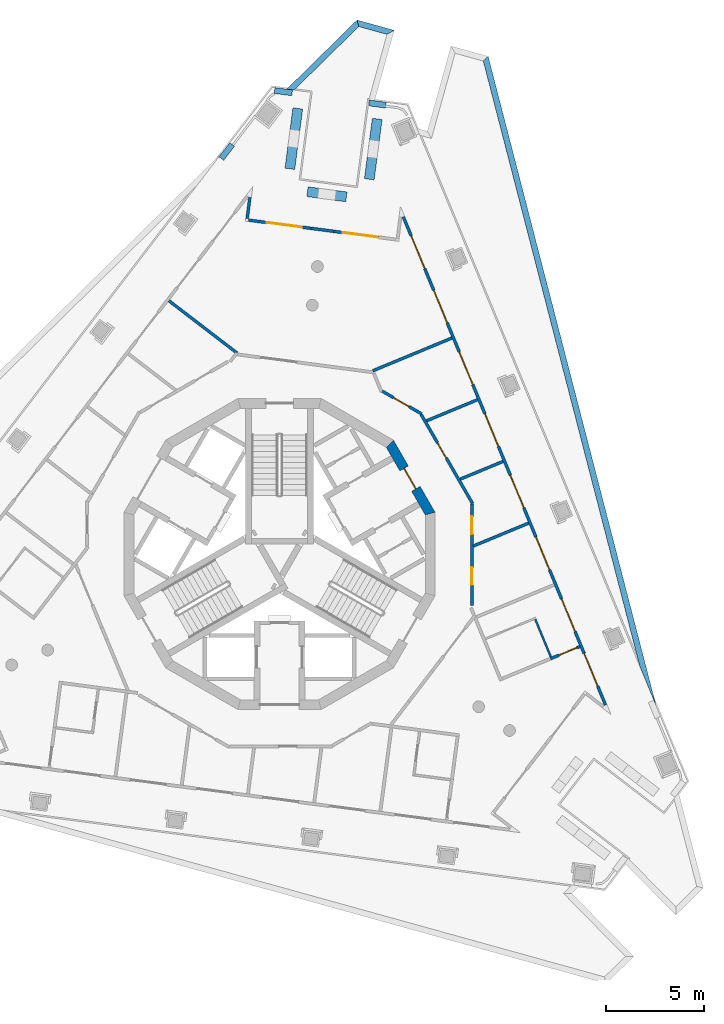
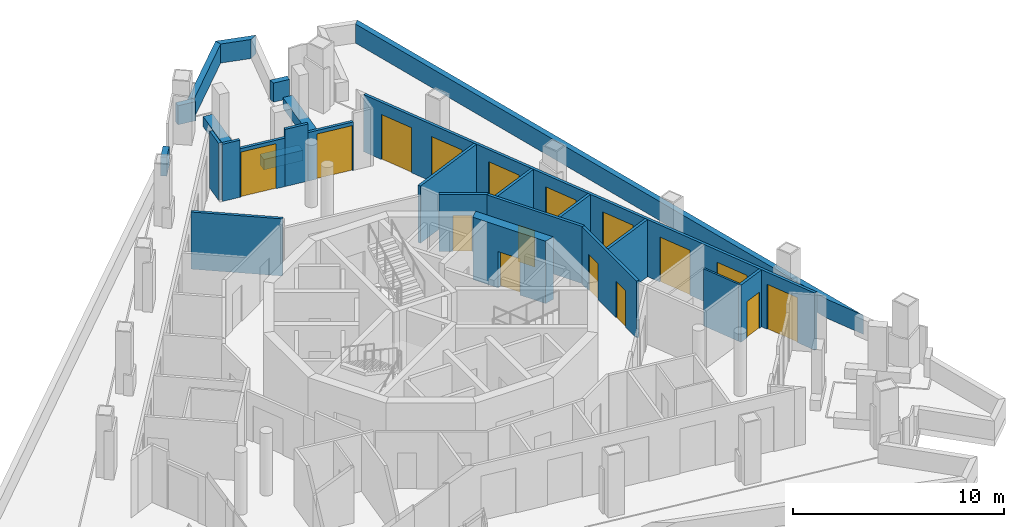
# One storey, part 6 of 12: 26 walls, 16 doors, 16 openings.
"""IFC4 building model written with IfcOpenShell, lengths in metres."""

from ifc_helpers import new_model, si_unit, direction, frame, frame_2d, origin, place, context, subcontext, project, spatial, polyline, rectangle, outline, extrude, material, layer, layer_set, type_object, element, fill, save


model = new_model("IFC4")

# Units and contexts
model_context = context("Model", 3, precision=1e-05, world=origin(), true_north=direction((0.0, 1.0)))
body_context = subcontext(model_context, "Body", "Model", "MODEL_VIEW")
ifc_project = project(units=[si_unit("LENGTHUNIT", "METRE"), si_unit("AREAUNIT", "SQUARE_METRE"), si_unit("VOLUMEUNIT", "CUBIC_METRE"), si_unit("PLANEANGLEUNIT", "RADIAN"), si_unit("MASSUNIT", "GRAM", prefix="KILO")], contexts=[model_context])

# Site, building, storey
site_placement = place(None, origin())
site = spatial("IfcSite", under=ifc_project, at=site_placement, CompositionType="ELEMENT")
building_placement = place(site_placement, origin())
building = spatial("IfcBuilding", under=site, at=building_placement, Name="Trine Commons Tower", CompositionType="ELEMENT")
storey_placement = place(building_placement, frame((0.0, 0.0, 271.800048828125)))
storey = spatial("IfcBuildingStorey", under=building, at=storey_placement, Name="L71", CompositionType="ELEMENT", Elevation=271.800048828125)

# Walls
ifc_material_1 = material(Name="Aluminium-framed insulated wall panel", Category="aluminium")
ifc_layer_1 = layer(ifc_material_1, 0.14990234375)
ifc_layer_set_1 = layer_set([ifc_layer_1], Name="Aluminium-framed insulated wall panel")
wall_type_1 = type_object("IfcWallType", Name="Glazed frame wall 150, EI 60", PredefinedType="SOLIDWALL", material=ifc_layer_set_1)
wall_1_placement = place(storey_placement, frame((78.51220703125, 80.81005859375, 0.0), z_axis=(0.0, 0.0, 1.0), x_axis=(-0.130510858064, -0.991446880033, 0.0)))
element("IfcWall", 1, at=wall_1_placement, inside=storey, type_object=wall_type_1, Name="Glazed frame wall R2", PredefinedType="SOLIDWALL", context=body_context, shape_type="SweptSolid", body=[
    extrude(outline(polyline([(0.1494140625, 0.074951171875), (0.1494140625, -0.074951171875), (1.235107421875, -0.074951171875), (1.235107421875, 0.074951171875), (0.1494140625, 0.074951171875)])), origin(), (0.0, 0.0, 1.0), 3.300048828125),
])
wall_2_placement = place(storey_placement, frame((78.306396484375, 79.515869140625, 0.0), z_axis=(0.0, 0.0, 1.0), x_axis=(0.991437672373, -0.130580786489, 0.0)))
element("IfcWall", 2, at=wall_2_placement, inside=storey, type_object=wall_type_1, Name="Glazed frame wall P1.1", PredefinedType="SOLIDWALL", context=body_context, shape_type="SweptSolid", body=[
    extrude(outline(polyline([(0.110107421875, -0.074951171875), (1.0, -0.074951171875), (1.0, 0.074951171875), (0.110107421875, 0.074951171875), (0.110107421875, -0.074951171875)])), origin(), (0.0, 0.0, 1.0), 3.300048828125),
])

# Wall, opening, door
wall_3_placement = place(storey_placement, frame((79.298095703125, 79.38525390625, 0.0), z_axis=(0.0, 0.0, 1.0), x_axis=(0.991435223914, -0.130599375121, 0.0)))
wall_3 = element("IfcWall", 3, at=wall_3_placement, inside=storey, type_object=wall_type_1, Name="Glazed frame wall P1.2", PredefinedType="SOLIDWALL", context=body_context, shape_type="SweptSolid", body=[
    extrude(outline(polyline([(0.0, -0.074951171875), (2.310791015625, -0.074951171875), (2.310791015625, 0.074951171875), (0.0, 0.074951171875), (0.0, -0.074951171875)])), origin(), (0.0, 0.0, 1.0), 2.800048828125),
])
opening_1_placement = place(wall_3_placement, frame((0.050048828125, 0.0, 0.0)))
opening_1 = element("IfcOpeningElement", 4, at=opening_1_placement, cuts=wall_3, Name="Opening BD-8P1-01", PredefinedType="OPENING", context=body_context, shape_type="SweptSolid", body=[
    extrude(rectangle(XDim=1.800048828125, YDim=2.60009765625, at=frame_2d((0.89990234375, 1.300048828125))), frame((0.0, 0.0849609375, 0.0), z_axis=(0.0, -1.0, 0.0), x_axis=(1.0, 0.0, 0.0)), (0.0, 0.0, 1.0), 0.169921875),
])
ifc_material_2 = material(Name="Anodised aluminium frame with double glazing", Category="aluminium")
door_type_1 = type_object("IfcDoorType", Name="Sliding loggia door 1800x2600", OperationType="SLIDING_TO_LEFT", PredefinedType="DOOR", material=ifc_material_2)
door_1_placement = place(opening_1_placement, origin())
door_1 = element("IfcDoor", 5, at=door_1_placement, inside=storey, type_object=door_type_1, Name="Loggia door P1 1", OperationType="SLIDING_TO_LEFT", OverallHeight=2.60009765625, OverallWidth=1.800048828125, PredefinedType="DOOR", context=body_context, shape_type="SweptSolid", body=[
    extrude(rectangle(XDim=1.800048828125, YDim=2.60009765625, at=frame_2d((0.89990234375, 1.300048828125))), frame((0.0, 0.02490234375, 0.0), z_axis=(0.0, -1.0, 0.0), x_axis=(1.0, 0.0, 0.0)), (0.0, 0.0, 1.0), 0.050048828125),
])
fill(opening_1, door_1)

# Wall
wall_4_placement = place(storey_placement, frame((81.5888671875, 79.08349609375, 0.0), z_axis=(0.0, 0.0, 1.0), x_axis=(0.991447243185, -0.130508099291, 0.0)))
element("IfcWall", 6, at=wall_4_placement, inside=storey, type_object=wall_type_1, Name="Glazed frame wall P1.3", PredefinedType="SOLIDWALL", context=body_context, shape_type="SweptSolid", body=[
    extrude(outline(polyline([(0.0, -0.074951171875), (1.1787109375, -0.074951171875), (1.1787109375, 0.074951171875), (0.0, 0.074951171875), (0.0, -0.074951171875)])), origin(), (0.0, 0.0, 1.0), 3.300048828125),
])

# Wall, opening, door
wall_5_placement = place(storey_placement, frame((82.75732421875, 78.9296875, 0.0), z_axis=(0.0, 0.0, 1.0), x_axis=(0.991450699069, -0.130481842855, 0.0)))
wall_5 = element("IfcWall", 7, at=wall_5_placement, inside=storey, type_object=wall_type_1, Name="Glazed frame wall P1.4", PredefinedType="SOLIDWALL", context=body_context, shape_type="SweptSolid", body=[
    extrude(outline(polyline([(0.0, -0.074951171875), (2.310791015625, -0.074951171875), (2.310791015625, 0.074951171875), (0.0, 0.074951171875), (0.0, -0.074951171875)])), origin(), (0.0, 0.0, 1.0), 2.800048828125),
])
opening_2_placement = place(wall_5_placement, frame((0.460693359375, 0.0, 0.0)))
opening_2 = element("IfcOpeningElement", 8, at=opening_2_placement, cuts=wall_5, Name="Opening BD-8P1-02", PredefinedType="OPENING", context=body_context, shape_type="SweptSolid", body=[
    extrude(rectangle(XDim=1.800048828125, YDim=2.60009765625, at=frame_2d((0.89990234375, 1.300048828125))), frame((0.0, 0.0849609375, 0.0), z_axis=(0.0, -1.0, 0.0), x_axis=(1.0, 0.0, 0.0)), (0.0, 0.0, 1.0), 0.169921875),
])
door_2_placement = place(opening_2_placement, origin())
door_2 = element("IfcDoor", 9, at=door_2_placement, inside=storey, type_object=door_type_1, Name="Loggia door P1 2", OperationType="SLIDING_TO_LEFT", OverallHeight=2.60009765625, OverallWidth=1.800048828125, PredefinedType="DOOR", context=body_context, shape_type="SweptSolid", body=[
    extrude(rectangle(XDim=1.800048828125, YDim=2.60009765625, at=frame_2d((0.89990234375, 1.300048828125))), frame((0.0, 0.02490234375, 0.0), z_axis=(0.0, -1.0, 0.0), x_axis=(1.0, 0.0, 0.0)), (0.0, 0.0, 1.0), 0.050048828125),
])
fill(opening_2, door_2)

# Wall, openings, doors
wall_6_placement = place(storey_placement, frame((86.2431640625, 79.809814453125, 0.0), z_axis=(0.0, 0.0, 1.0), x_axis=(0.382683868189, -0.923879351987, 0.0)))
wall_6 = element("IfcWall", 10, at=wall_6_placement, inside=storey, type_object=wall_type_1, Name="Glazed frame wall F2", PredefinedType="SOLIDWALL", context=body_context, shape_type="SweptSolid", body=[
    extrude(outline(polyline([(0.1494140625, 0.074951171875), (0.1494140625, -0.074951171875), (27.056884765625, -0.074951171875), (27.056884765625, 0.074951171875), (0.1494140625, 0.074951171875)])), origin(), (0.0, 0.0, 1.0), 3.300048828125),
])
opening_3_placement = place(wall_6_placement, frame((1.200439453125, 0.0, 0.0)))
opening_3 = element("IfcOpeningElement", 11, at=opening_3_placement, cuts=wall_6, Name="Opening BD-8F2-01", PredefinedType="OPENING", context=body_context, shape_type="SweptSolid", body=[
    extrude(rectangle(XDim=1.800048828125, YDim=2.60009765625, at=frame_2d((0.89990234375, 1.300048828125))), frame((0.0, 0.0849609375, 0.0), z_axis=(0.0, -1.0, 0.0), x_axis=(1.0, 0.0, 0.0)), (0.0, 0.0, 1.0), 0.169921875),
])
opening_4_placement = place(wall_6_placement, frame((4.201171875, 0.0, 0.0)))
opening_4 = element("IfcOpeningElement", 12, at=opening_4_placement, cuts=wall_6, Name="Opening BD-8F2-02", PredefinedType="OPENING", context=body_context, shape_type="SweptSolid", body=[
    extrude(rectangle(XDim=1.800048828125, YDim=2.60009765625, at=frame_2d((0.89990234375, 1.300048828125))), frame((0.0, 0.0849609375, 0.0), z_axis=(0.0, -1.0, 0.0), x_axis=(1.0, 0.0, 0.0)), (0.0, 0.0, 1.0), 0.169921875),
])
opening_5_placement = place(wall_6_placement, frame((7.60205078125, 0.0, 0.0)))
opening_5 = element("IfcOpeningElement", 13, at=opening_5_placement, cuts=wall_6, Name="Opening BD-8F2-03", PredefinedType="OPENING", context=body_context, shape_type="SweptSolid", body=[
    extrude(rectangle(XDim=1.800048828125, YDim=2.60009765625, at=frame_2d((0.89990234375, 1.300048828125))), frame((0.0, 0.0849609375, 0.0), z_axis=(0.0, -1.0, 0.0), x_axis=(1.0, 0.0, 0.0)), (0.0, 0.0, 1.0), 0.169921875),
])
opening_6_placement = place(wall_6_placement, frame((11.002685546875, 0.0, 0.0)))
opening_6 = element("IfcOpeningElement", 14, at=opening_6_placement, cuts=wall_6, Name="Opening BD-8F2-04", PredefinedType="OPENING", context=body_context, shape_type="SweptSolid", body=[
    extrude(rectangle(XDim=1.800048828125, YDim=2.60009765625, at=frame_2d((0.89990234375, 1.300048828125))), frame((0.0, 0.0849609375, 0.0), z_axis=(0.0, -1.0, 0.0), x_axis=(1.0, 0.0, 0.0)), (0.0, 0.0, 1.0), 0.169921875),
])
opening_7_placement = place(wall_6_placement, frame((14.403564453125, 0.0, 0.0)))
opening_7 = element("IfcOpeningElement", 15, at=opening_7_placement, cuts=wall_6, Name="Opening BD-8F2-05", PredefinedType="OPENING", context=body_context, shape_type="SweptSolid", body=[
    extrude(rectangle(XDim=1.800048828125, YDim=2.60009765625, at=frame_2d((0.89990234375, 1.300048828125))), frame((0.0, 0.0849609375, 0.0), z_axis=(0.0, -1.0, 0.0), x_axis=(1.0, 0.0, 0.0)), (0.0, 0.0, 1.0), 0.169921875),
])
opening_8_placement = place(wall_6_placement, frame((17.804443359375, 0.0, 0.0)))
opening_8 = element("IfcOpeningElement", 16, at=opening_8_placement, cuts=wall_6, Name="Opening BD-8F2-06", PredefinedType="OPENING", context=body_context, shape_type="SweptSolid", body=[
    extrude(rectangle(XDim=1.800048828125, YDim=2.60009765625, at=frame_2d((0.89990234375, 1.300048828125))), frame((0.0, 0.0849609375, 0.0), z_axis=(0.0, -1.0, 0.0), x_axis=(1.0, 0.0, 0.0)), (0.0, 0.0, 1.0), 0.169921875),
])
opening_9_placement = place(wall_6_placement, frame((21.205078125, 0.0, 0.0)))
opening_9 = element("IfcOpeningElement", 17, at=opening_9_placement, cuts=wall_6, Name="Opening BD-8F2-07", PredefinedType="OPENING", context=body_context, shape_type="SweptSolid", body=[
    extrude(rectangle(XDim=1.800048828125, YDim=2.60009765625, at=frame_2d((0.89990234375, 1.300048828125))), frame((0.0, 0.0849609375, 0.0), z_axis=(0.0, -1.0, 0.0), x_axis=(1.0, 0.0, 0.0)), (0.0, 0.0, 1.0), 0.169921875),
])
opening_10_placement = place(wall_6_placement, frame((24.2060546875, 0.0, 0.0)))
opening_10 = element("IfcOpeningElement", 18, at=opening_10_placement, cuts=wall_6, Name="Opening BD-8F2-08", PredefinedType="OPENING", context=body_context, shape_type="SweptSolid", body=[
    extrude(rectangle(XDim=1.800048828125, YDim=2.60009765625, at=frame_2d((0.89990234375, 1.300048828125))), frame((0.0, 0.0849609375, 0.0), z_axis=(0.0, -1.0, 0.0), x_axis=(1.0, 0.0, 0.0)), (0.0, 0.0, 1.0), 0.169921875),
])
door_3_placement = place(opening_3_placement, origin())
door_3 = element("IfcDoor", 19, at=door_3_placement, inside=storey, type_object=door_type_1, Name="Loggia door F2 1", OperationType="SLIDING_TO_LEFT", OverallHeight=2.60009765625, OverallWidth=1.800048828125, PredefinedType="DOOR", context=body_context, shape_type="SweptSolid", body=[
    extrude(rectangle(XDim=1.800048828125, YDim=2.60009765625, at=frame_2d((0.89990234375, 1.300048828125))), frame((0.0, 0.02490234375, 0.0), z_axis=(0.0, -1.0, 0.0), x_axis=(1.0, 0.0, 0.0)), (0.0, 0.0, 1.0), 0.050048828125),
])
fill(opening_3, door_3)
door_4_placement = place(opening_4_placement, origin())
door_4 = element("IfcDoor", 20, at=door_4_placement, inside=storey, type_object=door_type_1, Name="Loggia door F2 2", OperationType="SLIDING_TO_LEFT", OverallHeight=2.60009765625, OverallWidth=1.800048828125, PredefinedType="DOOR", context=body_context, shape_type="SweptSolid", body=[
    extrude(rectangle(XDim=1.800048828125, YDim=2.60009765625, at=frame_2d((0.89990234375, 1.300048828125))), frame((0.0, 0.02490234375, 0.0), z_axis=(0.0, -1.0, 0.0), x_axis=(1.0, 0.0, 0.0)), (0.0, 0.0, 1.0), 0.050048828125),
])
fill(opening_4, door_4)
door_5_placement = place(opening_5_placement, origin())
door_5 = element("IfcDoor", 21, at=door_5_placement, inside=storey, type_object=door_type_1, Name="Loggia door F2 3", OperationType="SLIDING_TO_LEFT", OverallHeight=2.60009765625, OverallWidth=1.800048828125, PredefinedType="DOOR", context=body_context, shape_type="SweptSolid", body=[
    extrude(rectangle(XDim=1.800048828125, YDim=2.60009765625, at=frame_2d((0.89990234375, 1.300048828125))), frame((0.0, 0.02490234375, 0.0), z_axis=(0.0, -1.0, 0.0), x_axis=(1.0, 0.0, 0.0)), (0.0, 0.0, 1.0), 0.050048828125),
])
fill(opening_5, door_5)
door_6_placement = place(opening_6_placement, origin())
door_6 = element("IfcDoor", 22, at=door_6_placement, inside=storey, type_object=door_type_1, Name="Loggia door F2 4", OperationType="SLIDING_TO_LEFT", OverallHeight=2.60009765625, OverallWidth=1.800048828125, PredefinedType="DOOR", context=body_context, shape_type="SweptSolid", body=[
    extrude(rectangle(XDim=1.800048828125, YDim=2.60009765625, at=frame_2d((0.89990234375, 1.300048828125))), frame((0.0, 0.02490234375, 0.0), z_axis=(0.0, -1.0, 0.0), x_axis=(1.0, 0.0, 0.0)), (0.0, 0.0, 1.0), 0.050048828125),
])
fill(opening_6, door_6)
door_7_placement = place(opening_7_placement, origin())
door_7 = element("IfcDoor", 23, at=door_7_placement, inside=storey, type_object=door_type_1, Name="Loggia door F2 5", OperationType="SLIDING_TO_LEFT", OverallHeight=2.60009765625, OverallWidth=1.800048828125, PredefinedType="DOOR", context=body_context, shape_type="SweptSolid", body=[
    extrude(rectangle(XDim=1.800048828125, YDim=2.60009765625, at=frame_2d((0.89990234375, 1.300048828125))), frame((0.0, 0.02490234375, 0.0), z_axis=(0.0, -1.0, 0.0), x_axis=(1.0, 0.0, 0.0)), (0.0, 0.0, 1.0), 0.050048828125),
])
fill(opening_7, door_7)
door_8_placement = place(opening_8_placement, origin())
door_8 = element("IfcDoor", 24, at=door_8_placement, inside=storey, type_object=door_type_1, Name="Loggia door F2 6", OperationType="SLIDING_TO_LEFT", OverallHeight=2.60009765625, OverallWidth=1.800048828125, PredefinedType="DOOR", context=body_context, shape_type="SweptSolid", body=[
    extrude(rectangle(XDim=1.800048828125, YDim=2.60009765625, at=frame_2d((0.89990234375, 1.300048828125))), frame((0.0, 0.02490234375, 0.0), z_axis=(0.0, -1.0, 0.0), x_axis=(1.0, 0.0, 0.0)), (0.0, 0.0, 1.0), 0.050048828125),
])
fill(opening_8, door_8)
door_9_placement = place(opening_9_placement, origin())
door_9 = element("IfcDoor", 25, at=door_9_placement, inside=storey, type_object=door_type_1, Name="Loggia door F2 7", OperationType="SLIDING_TO_LEFT", OverallHeight=2.60009765625, OverallWidth=1.800048828125, PredefinedType="DOOR", context=body_context, shape_type="SweptSolid", body=[
    extrude(rectangle(XDim=1.800048828125, YDim=2.60009765625, at=frame_2d((0.89990234375, 1.300048828125))), frame((0.0, 0.02490234375, 0.0), z_axis=(0.0, -1.0, 0.0), x_axis=(1.0, 0.0, 0.0)), (0.0, 0.0, 1.0), 0.050048828125),
])
fill(opening_9, door_9)
door_10_placement = place(opening_10_placement, origin())
door_10 = element("IfcDoor", 26, at=door_10_placement, inside=storey, type_object=door_type_1, Name="Loggia door F2 8", OperationType="SLIDING_TO_LEFT", OverallHeight=2.60009765625, OverallWidth=1.800048828125, PredefinedType="DOOR", context=body_context, shape_type="SweptSolid", body=[
    extrude(rectangle(XDim=1.800048828125, YDim=2.60009765625, at=frame_2d((0.89990234375, 1.300048828125))), frame((0.0, 0.02490234375, 0.0), z_axis=(0.0, -1.0, 0.0), x_axis=(1.0, 0.0, 0.0)), (0.0, 0.0, 1.0), 0.050048828125),
])
fill(opening_10, door_10)

# Walls
ifc_material_3 = material(Name="Planter trough, precast concrete C40/50", Category="concrete")
ifc_layer_2 = layer(ifc_material_3, 0.5)
ifc_layer_set_2 = layer_set([ifc_layer_2], Name="Planter trough, precast concrete C40/50")
wall_type_2 = type_object("IfcWallType", Name="Planter trough 500x600", PredefinedType="PARAPET", material=ifc_layer_set_2)
wall_7_placement = place(storey_placement, frame((80.92919921875, 85.18701171875, 0.0), z_axis=(0.0, 0.0, 1.0), x_axis=(-0.130487105691, -0.991450006429, 0.0)))
element("IfcWall", 27, at=wall_7_placement, inside=storey, type_object=wall_type_2, Name="Planter 4", PredefinedType="PARAPET", context=body_context, shape_type="SweptSolid", body=[
    extrude(rectangle(XDim=3.100341796875, YDim=0.5, at=frame_2d((1.55029296875, 0.0))), origin(), (0.0, 0.0, 1.0), 0.599853515625),
])
wall_8_placement = place(storey_placement, frame((81.419921875, 80.94677734375, 0.0), z_axis=(0.0, 0.0, 1.0), x_axis=(0.991433509034, -0.130612392842, 0.0)))
element("IfcWall", 28, at=wall_8_placement, inside=storey, type_object=wall_type_2, Name="Planter 5", PredefinedType="PARAPET", context=body_context, shape_type="SweptSolid", body=[
    extrude(rectangle(XDim=2.0, YDim=0.5, at=frame_2d((1.0, 0.0))), origin(), (0.0, 0.0, 1.0), 0.599853515625),
])
wall_9_placement = place(storey_placement, frame((84.569580078125, 81.5810546875, 0.0), z_axis=(0.0, 0.0, 1.0), x_axis=(0.130507484591, 0.9914473241, 0.0)))
element("IfcWall", 29, at=wall_9_placement, inside=storey, type_object=wall_type_2, Name="Planter 6", PredefinedType="PARAPET", context=body_context, shape_type="SweptSolid", body=[
    extrude(rectangle(XDim=3.099853515625, YDim=0.5, at=frame_2d((1.5498046875, 0.0))), origin(), (0.0, 0.0, 1.0), 0.599853515625),
])

# Wall, opening, door
ifc_material_4 = material(Name="Concrete C50/60", Category="concrete")
ifc_layer_3 = layer(ifc_material_4, 0.5)
ifc_layer_set_3 = layer_set([ifc_layer_3], Name="Concrete C50/60")
wall_type_3 = type_object("IfcWallType", Name="RC shear wall 500 mm, C50/60", PredefinedType="SHEAR", material=ifc_layer_set_3)
wall_10_placement = place(storey_placement, frame((87.7041015625, 64.497314453125, 0.0), z_axis=(0.0, 0.0, 1.0), x_axis=(-0.499992968425, 0.866029463428, 0.0)))
wall_10 = element("IfcWall", 30, at=wall_10_placement, inside=storey, type_object=wall_type_3, Name="Core wall CWH-02 L71", PredefinedType="SHEAR", context=body_context, shape_type="SweptSolid", body=[
    extrude(outline(polyline([(0.0, -0.25), (4.24462890625, -0.25), (4.110595703125, 0.25), (0.134033203125, 0.25), (0.0, -0.25)])), origin(), (0.0, 0.0, 1.0), 3.599853515625),
])
opening_11_placement = place(wall_10_placement, frame((1.5224609375, 0.0, 0.0)))
opening_11 = element("IfcOpeningElement", 31, at=opening_11_placement, cuts=wall_10, Name="Opening K19.04", PredefinedType="OPENING", context=body_context, shape_type="SweptSolid", body=[
    extrude(rectangle(XDim=1.199951171875, YDim=2.10009765625, at=frame_2d((0.60009765625, 1.050048828125))), frame((0.0, 0.260009765625, 0.0), z_axis=(0.0, -1.0, 0.0), x_axis=(1.0, 0.0, 0.0)), (0.0, 0.0, 1.0), 0.52001953125),
])
ifc_material_5 = material(Name="Steel door leaves, fire-rated", Category="steel")
door_type_2 = type_object("IfcDoorType", Name="Lobby door, double leaf 1200 x 2100, FD60", OperationType="DOUBLE_DOOR_SINGLE_SWING", PredefinedType="DOOR", material=ifc_material_5)
door_11_placement = place(opening_11_placement, origin())
door_11 = element("IfcDoor", 32, at=door_11_placement, inside=storey, type_object=door_type_2, Name="Lobby door, Core lounge L71", OperationType="DOUBLE_DOOR_SINGLE_SWING", OverallHeight=2.10009765625, OverallWidth=1.199951171875, PredefinedType="DOOR", context=body_context, shape_type="SweptSolid", body=[
    extrude(rectangle(XDim=1.199951171875, YDim=2.10009765625, at=frame_2d((0.60009765625, 1.050048828125))), frame((0.0, 0.02490234375, 0.0), z_axis=(0.0, -1.0, 0.0), x_axis=(1.0, 0.0, 0.0)), (0.0, 0.0, 1.0), 0.050048828125),
])
fill(opening_11, door_11)

# Walls
ifc_material_6 = material(Name="Limestone, honed", Category="masonry")
ifc_layer_4 = layer(ifc_material_6, 0.300048828125)
ifc_layer_set_4 = layer_set([ifc_layer_4], Name="Limestone, honed")
wall_type_4 = type_object("IfcWallType", Name="Stone parapet 300", PredefinedType="PARAPET", material=ifc_layer_set_4)
wall_11_placement = place(storey_placement, origin())
element("IfcWall", 33, at=wall_11_placement, inside=storey, type_object=wall_type_4, Name="Sliver roof parapet extension L70 2.X1", PredefinedType="PARAPET", context=body_context, shape_type="SweptSolid", body=[
    extrude(outline(polyline([(77.706298828125, 83.259033203125), (77.46826171875, 83.441650390625), (76.92041015625, 82.7275390625), (77.158203125, 82.544921875), (77.706298828125, 83.259033203125)])), origin(), (0.0, 0.0, 1.0), 1.099853515625),
])
wall_12_placement = place(storey_placement, origin())
element("IfcWall", 34, at=wall_12_placement, inside=storey, type_object=wall_type_4, Name="Sliver roof parapet L70 3.2", PredefinedType="PARAPET", context=body_context, shape_type="SweptSolid", body=[
    extrude(outline(polyline([(85.838134765625, 89.1650390625), (83.945556640625, 89.68994140625), (84.0322265625, 89.3544921875), (85.468994140625, 88.9560546875), (85.838134765625, 89.1650390625)])), origin(), (0.0, 0.0, 1.0), 1.099853515625),
])
wall_13_placement = place(storey_placement, origin())
element("IfcWall", 35, at=wall_13_placement, inside=storey, type_object=wall_type_4, Name="Sliver roof parapet L70 3.3", PredefinedType="PARAPET", context=body_context, shape_type="SweptSolid", body=[
    extrude(outline(polyline([(83.945556640625, 89.68994140625), (80.363037109375, 86.169189453125), (80.740478515625, 86.11962890625), (84.0322265625, 89.3544921875), (83.945556640625, 89.68994140625)])), origin(), (0.0, 0.0, 1.0), 1.099853515625),
])
wall_14_placement = place(storey_placement, origin())
element("IfcWall", 36, at=wall_14_placement, inside=storey, type_object=wall_type_4, Name="Sliver roof parapet extension L70 3.X1", PredefinedType="PARAPET", context=body_context, shape_type="SweptSolid", body=[
    extrude(outline(polyline([(84.593505859375, 85.309814453125), (85.399658203125, 85.20361328125), (85.438720703125, 85.5009765625), (84.595947265625, 85.612060546875), (84.55517578125, 85.607421875), (84.589111328125, 85.30908203125), (84.593505859375, 85.309814453125)])), origin(), (0.0, 0.0, 1.0), 1.099853515625),
])
wall_15_placement = place(storey_placement, origin())
element("IfcWall", 37, at=wall_15_placement, inside=storey, type_object=wall_type_4, Name="Sliver roof parapet extension L70 3.X2", PredefinedType="PARAPET", context=body_context, shape_type="SweptSolid", body=[
    extrude(outline(polyline([(79.76806640625, 86.24755859375), (79.72900390625, 85.9501953125), (80.621337890625, 85.832763671875), (80.660400390625, 86.130126953125), (80.162109375, 86.19580078125), (79.76806640625, 86.24755859375)])), origin(), (0.0, 0.0, 1.0), 1.099853515625),
])
wall_16_placement = place(storey_placement, origin())
element("IfcWall", 38, at=wall_16_placement, inside=storey, type_object=wall_type_4, Name="Sliver roof parapet L70 5.1", PredefinedType="PARAPET", context=body_context, shape_type="SweptSolid", body=[
    extrude(outline(polyline([(99.17236328125, 54.776123046875), (90.621826171875, 87.83837890625), (90.374755859375, 87.595703125), (98.347412109375, 56.767578125), (99.17236328125, 54.776123046875)])), origin(), (0.0, 0.0, 1.0), 1.099853515625),
])
ifc_material_7 = material(Name="Gypsum plasterboard on steel stud", Category="steel")
ifc_layer_5 = layer(ifc_material_7, 0.14990234375)
ifc_layer_set_5 = layer_set([ifc_layer_5], Name="Gypsum plasterboard on steel stud")
wall_type_5 = type_object("IfcWallType", Name="Unit and corridor wall 150 mm, EI 60", PredefinedType="PARTITIONING", material=ifc_layer_set_5)
wall_17_placement = place(storey_placement, frame((74.36865234375, 75.39453125, 0.0), z_axis=(0.0, 0.0, 1.0), x_axis=(0.793333223514, -0.608787644807, 0.0)))
element("IfcWall", 39, at=wall_17_placement, inside=storey, type_object=wall_type_5, Name="Partition 025", PredefinedType="PARTITIONING", context=body_context, shape_type="SweptSolid", body=[
    extrude(rectangle(XDim=4.3603515625, YDim=0.14990234375, at=frame_2d((2.18017578125, 0.0))), origin(), (0.0, 0.0, 1.0), 3.300048828125),
])
wall_18_placement = place(storey_placement, frame((84.7490234375, 71.8291015625, 0.0), z_axis=(0.0, 0.0, 1.0), x_axis=(0.923861903396, 0.382725990042, 0.0)))
element("IfcWall", 40, at=wall_18_placement, inside=storey, type_object=wall_type_5, Name="Partition 034", PredefinedType="PARTITIONING", context=body_context, shape_type="SweptSolid", body=[
    extrude(rectangle(XDim=4.360107421875, YDim=0.14990234375, at=frame_2d((2.18017578125, 0.0))), origin(), (0.0, 0.0, 1.0), 3.300048828125),
])

# Wall, opening, door
wall_19_placement = place(storey_placement, frame((85.22705078125, 70.79345703125, 0.0), z_axis=(0.0, 0.0, 1.0), x_axis=(0.866026103983, -0.499998787219, 0.0)))
wall_19 = element("IfcWall", 41, at=wall_19_placement, inside=storey, type_object=wall_type_5, Name="Partition 037", PredefinedType="PARTITIONING", context=body_context, shape_type="SweptSolid", body=[
    extrude(rectangle(XDim=2.31982421875, YDim=0.14990234375, at=frame_2d((1.159912109375, 0.0))), origin(), (0.0, 0.0, 1.0), 3.300048828125),
])
opening_12_placement = place(wall_19_placement, frame((0.672607421875, 0.0, 0.0)))
opening_12 = element("IfcOpeningElement", 42, at=opening_12_placement, cuts=wall_19, Name="Opening D-8A09", PredefinedType="OPENING", context=body_context, shape_type="SweptSolid", body=[
    extrude(rectangle(XDim=0.89990234375, YDim=2.10009765625, at=frame_2d((0.449951171875, 1.050048828125))), frame((0.0, 0.0849609375, 0.0), z_axis=(0.0, -1.0, 0.0), x_axis=(1.0, 0.0, 0.0)), (0.0, 0.0, 1.0), 0.169921875),
])
ifc_material_8 = material(Name="Timber fire door set", Category="wood")
door_type_3 = type_object("IfcDoorType", Name="Service door 900 x 2100, FD30S", OperationType="NOTDEFINED", PredefinedType="DOOR", material=ifc_material_8)
door_12_placement = place(opening_12_placement, origin())
door_12 = element("IfcDoor", 43, at=door_12_placement, inside=storey, type_object=door_type_3, Name="Door D-8A09", OperationType="SINGLE_SWING_LEFT", OverallHeight=2.10009765625, OverallWidth=0.89990234375, PredefinedType="DOOR", context=body_context, shape_type="SweptSolid", body=[
    extrude(rectangle(XDim=0.89990234375, YDim=2.10009765625, at=frame_2d((0.449951171875, 1.050048828125))), frame((0.0, 0.02490234375, 0.0), z_axis=(0.0, -1.0, 0.0), x_axis=(1.0, 0.0, 0.0)), (0.0, 0.0, 1.0), 0.050048828125),
])
fill(opening_12, door_12)

wall_20_placement = place(storey_placement, frame((87.20849609375, 69.606201171875, 0.0), z_axis=(0.0, 0.0, 1.0), x_axis=(0.500040482552, -0.866002029911, 0.0)))
wall_20 = element("IfcWall", 44, at=wall_20_placement, inside=storey, type_object=wall_type_5, Name="Partition 042", PredefinedType="PARTITIONING", context=body_context, shape_type="SweptSolid", body=[
    extrude(rectangle(XDim=5.24951171875, YDim=0.14990234375, at=frame_2d((2.624755859375, 0.0))), origin(), (0.0, 0.0, 1.0), 3.300048828125),
])
opening_13_placement = place(wall_20_placement, frame((1.674560546875, 0.0, 0.0)))
opening_13 = element("IfcOpeningElement", 45, at=opening_13_placement, cuts=wall_20, Name="Opening D-8A10", PredefinedType="OPENING", context=body_context, shape_type="SweptSolid", body=[
    extrude(rectangle(XDim=0.89990234375, YDim=2.10009765625, at=frame_2d((0.449951171875, 1.050048828125))), frame((0.0, 0.0849609375, 0.0), z_axis=(0.0, -1.0, 0.0), x_axis=(1.0, 0.0, 0.0)), (0.0, 0.0, 1.0), 0.169921875),
])
door_13_placement = place(opening_13_placement, origin())
door_13 = element("IfcDoor", 46, at=door_13_placement, inside=storey, type_object=door_type_3, Name="Door D-8A10", OperationType="SINGLE_SWING_LEFT", OverallHeight=2.10009765625, OverallWidth=0.89990234375, PredefinedType="DOOR", context=body_context, shape_type="SweptSolid", body=[
    extrude(rectangle(XDim=0.89990234375, YDim=2.10009765625, at=frame_2d((0.449951171875, 1.050048828125))), frame((0.0, 0.02490234375, 0.0), z_axis=(0.0, -1.0, 0.0), x_axis=(1.0, 0.0, 0.0)), (0.0, 0.0, 1.0), 0.050048828125),
])
fill(opening_13, door_13)

# Walls
wall_21_placement = place(storey_placement, frame((87.482421875, 69.27978515625, 0.0), z_axis=(0.0, 0.0, 1.0), x_axis=(0.923772104672, 0.382942683218, 0.0)))
element("IfcWall", 47, at=wall_21_placement, inside=storey, type_object=wall_type_5, Name="Partition 043", PredefinedType="PARTITIONING", context=body_context, shape_type="SweptSolid", body=[
    extrude(rectangle(XDim=2.8095703125, YDim=0.14990234375, at=frame_2d((1.40478515625, 0.0))), origin(), (0.0, 0.0, 1.0), 3.300048828125),
])
wall_22_placement = place(storey_placement, frame((89.197265625, 66.309814453125, 0.0), z_axis=(0.0, 0.0, 1.0), x_axis=(0.923858052564, 0.382735285429, 0.0)))
element("IfcWall", 48, at=wall_22_placement, inside=storey, type_object=wall_type_5, Name="Partition 048", PredefinedType="PARTITIONING", context=body_context, shape_type="SweptSolid", body=[
    extrude(rectangle(XDim=2.361328125, YDim=0.14990234375, at=frame_2d((1.1806640625, 0.0))), origin(), (0.0, 0.0, 1.0), 3.300048828125),
])

# Wall, openings, doors
wall_23_placement = place(storey_placement, frame((89.7958984375, 59.875, 0.0), z_axis=(0.0, 0.0, 1.0), x_axis=(0.0, 1.0, 0.0)))
wall_23 = element("IfcWall", 49, at=wall_23_placement, inside=storey, type_object=wall_type_5, Name="Partition 050", PredefinedType="PARTITIONING", context=body_context, shape_type="SweptSolid", body=[
    extrude(rectangle(XDim=5.175048828125, YDim=0.14990234375, at=frame_2d((2.58740234375, 0.0))), origin(), (0.0, 0.0, 1.0), 3.300048828125),
])
opening_14_placement = place(wall_23_placement, frame((3.637939453125, 0.0, 0.0)))
opening_14 = element("IfcOpeningElement", 50, at=opening_14_placement, cuts=wall_23, Name="Opening D-8A11", PredefinedType="OPENING", context=body_context, shape_type="SweptSolid", body=[
    extrude(rectangle(XDim=0.89990234375, YDim=2.10009765625, at=frame_2d((0.449951171875, 1.050048828125))), frame((0.0, 0.0849609375, 0.0), z_axis=(0.0, -1.0, 0.0), x_axis=(1.0, 0.0, 0.0)), (0.0, 0.0, 1.0), 0.169921875),
])
opening_15_placement = place(wall_23_placement, frame((1.050537109375, 0.0, 0.0)))
opening_15 = element("IfcOpeningElement", 51, at=opening_15_placement, cuts=wall_23, Name="Opening D-8A12", PredefinedType="OPENING", context=body_context, shape_type="SweptSolid", body=[
    extrude(rectangle(XDim=0.89990234375, YDim=2.10009765625, at=frame_2d((0.449951171875, 1.050048828125))), frame((0.0, 0.0849609375, 0.0), z_axis=(0.0, -1.0, 0.0), x_axis=(1.0, 0.0, 0.0)), (0.0, 0.0, 1.0), 0.169921875),
])
door_14_placement = place(opening_14_placement, frame((0.89990234375, 0.0, 0.0), z_axis=(0.0, 0.0, 1.0), x_axis=(-1.0, 0.0, 0.0)))
door_14 = element("IfcDoor", 52, at=door_14_placement, inside=storey, type_object=door_type_3, Name="Door D-8A11", OperationType="SINGLE_SWING_LEFT", OverallHeight=2.10009765625, OverallWidth=0.89990234375, PredefinedType="DOOR", context=body_context, shape_type="SweptSolid", body=[
    extrude(rectangle(XDim=0.89990234375, YDim=2.10009765625, at=frame_2d((0.449951171875, 1.050048828125))), frame((0.0, 0.02490234375, 0.0), z_axis=(0.0, -1.0, 0.0), x_axis=(1.0, 0.0, 0.0)), (0.0, 0.0, 1.0), 0.050048828125),
])
fill(opening_14, door_14)
door_15_placement = place(opening_15_placement, frame((0.89990234375, 0.0, 0.0), z_axis=(0.0, 0.0, 1.0), x_axis=(-1.0, 0.0, 0.0)))
door_15 = element("IfcDoor", 53, at=door_15_placement, inside=storey, type_object=door_type_3, Name="Door D-8A12", OperationType="SINGLE_SWING_RIGHT", OverallHeight=2.10009765625, OverallWidth=0.89990234375, PredefinedType="DOOR", context=body_context, shape_type="SweptSolid", body=[
    extrude(rectangle(XDim=0.89990234375, YDim=2.10009765625, at=frame_2d((0.449951171875, 1.050048828125))), frame((0.0, 0.02490234375, 0.0), z_axis=(0.0, -1.0, 0.0), x_axis=(1.0, 0.0, 0.0)), (0.0, 0.0, 1.0), 0.050048828125),
])
fill(opening_15, door_15)

# Wall
wall_24_placement = place(storey_placement, frame((89.865234375, 62.90478515625, 0.0), z_axis=(0.0, 0.0, 1.0), x_axis=(0.923798092673, 0.382879986385, 0.0)))
element("IfcWall", 54, at=wall_24_placement, inside=storey, type_object=wall_type_5, Name="Partition 051", PredefinedType="PARTITIONING", context=body_context, shape_type="SweptSolid", body=[
    extrude(rectangle(XDim=3.0478515625, YDim=0.14990234375, at=frame_2d((1.52392578125, 0.0))), origin(), (0.0, 0.0, 1.0), 3.300048828125),
])

# Wall, opening, door
wall_25_placement = place(storey_placement, frame((93.793701171875, 57.169921875, 0.0), z_axis=(0.0, 0.0, 1.0), x_axis=(0.923791733711, 0.382895328684, 0.0)))
wall_25 = element("IfcWall", 55, at=wall_25_placement, inside=storey, type_object=wall_type_5, Name="Partition 057", PredefinedType="PARTITIONING", context=body_context, shape_type="SweptSolid", body=[
    extrude(rectangle(XDim=1.61328125, YDim=0.14990234375, at=frame_2d((0.806640625, 0.0))), origin(), (0.0, 0.0, 1.0), 3.300048828125),
])
opening_16_placement = place(wall_25_placement, frame((0.463134765625, 0.0, 0.0)))
opening_16 = element("IfcOpeningElement", 56, at=opening_16_placement, cuts=wall_25, Name="Opening D-8A13", PredefinedType="OPENING", context=body_context, shape_type="SweptSolid", body=[
    extrude(rectangle(XDim=1.0, YDim=2.10009765625, at=frame_2d((0.5, 1.050048828125))), frame((0.0, 0.0849609375, 0.0), z_axis=(0.0, -1.0, 0.0), x_axis=(1.0, 0.0, 0.0)), (0.0, 0.0, 1.0), 0.169921875),
])
door_type_4 = type_object("IfcDoorType", Name="Bedroom door 1000 x 2100, FD30S", OperationType="NOTDEFINED", PredefinedType="DOOR", material=ifc_material_8)
door_16_placement = place(opening_16_placement, origin())
door_16 = element("IfcDoor", 57, at=door_16_placement, inside=storey, type_object=door_type_4, Name="Door D-8A13", OperationType="SINGLE_SWING_RIGHT", OverallHeight=2.10009765625, OverallWidth=1.0, PredefinedType="DOOR", context=body_context, shape_type="SweptSolid", body=[
    extrude(rectangle(XDim=1.0, YDim=2.10009765625, at=frame_2d((0.5, 1.050048828125))), frame((0.0, 0.02490234375, 0.0), z_axis=(0.0, -1.0, 0.0), x_axis=(1.0, 0.0, 0.0)), (0.0, 0.0, 1.0), 0.050048828125),
])
fill(opening_16, door_16)

# Wall
ifc_layer_6 = layer(ifc_material_7, 0.10009765625)
ifc_layer_set_6 = layer_set([ifc_layer_6], Name="Gypsum plasterboard on steel stud")
wall_type_6 = type_object("IfcWallType", Name="Unit partition 100 mm, no rating", PredefinedType="PARTITIONING", material=ifc_layer_set_6)
wall_26_placement = place(storey_placement, frame((93.02001953125, 59.1767578125, 0.0), z_axis=(0.0, 0.0, 1.0), x_axis=(0.382826421446, -0.92382029153, 0.0)))
element("IfcWall", 58, at=wall_26_placement, inside=storey, type_object=wall_type_6, Name="Partition 056", PredefinedType="PARTITIONING", context=body_context, shape_type="SweptSolid", body=[
    extrude(rectangle(XDim=2.074462890625, YDim=0.10009765625, at=frame_2d((1.037109375, 0.0))), origin(), (0.0, 0.0, 1.0), 3.300048828125),
])

save(model, "model.ifc")
